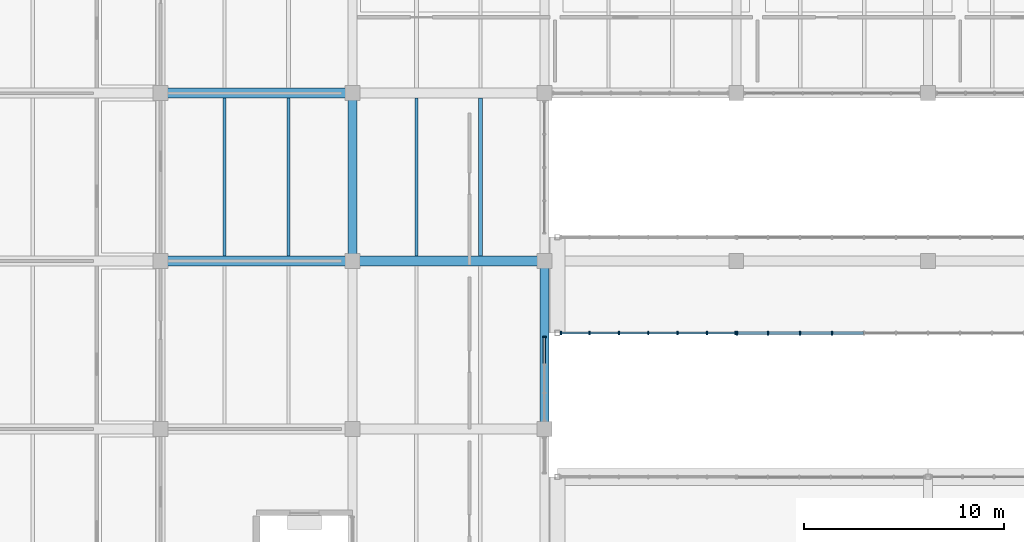
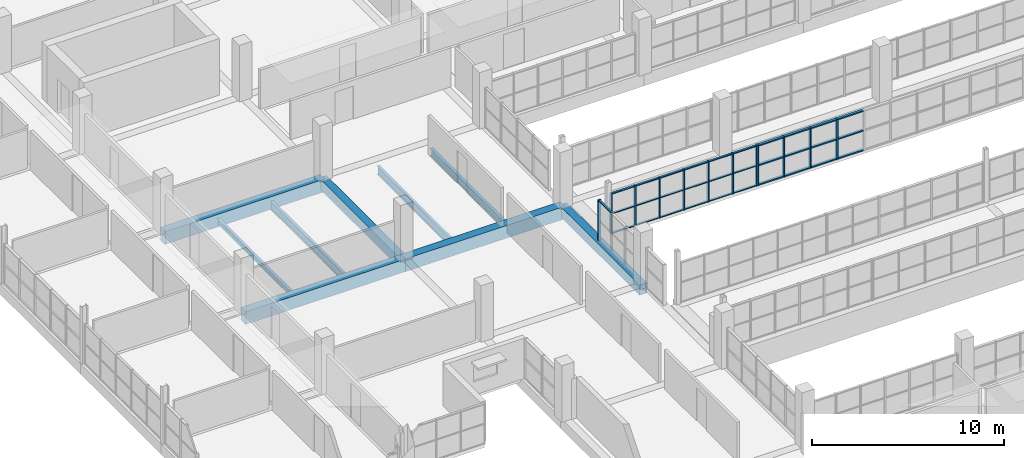
# One storey, part 59 of 147: 43 members, 9 beams, 3 elements without a shape of their own.
"""IFC4 building model written with IfcOpenShell, lengths in metres."""

from ifc_helpers import new_model, si_unit, direction, frame, origin, origin_2d, place, context, subcontext, project, spatial, rectangle, i_section, extrude, material, material_profile, profile_set, type_object, element, aggregate, save


model = new_model("IFC4")

# Units and contexts
model_context = context("Model", 3, precision=1e-05, world=origin(), true_north=direction((0.0, 1.0)))
body_context = subcontext(model_context, "Body", "Model", "MODEL_VIEW")
ifc_project = project(units=[si_unit("LENGTHUNIT", "METRE"), si_unit("AREAUNIT", "SQUARE_METRE"), si_unit("VOLUMEUNIT", "CUBIC_METRE"), si_unit("PLANEANGLEUNIT", "RADIAN"), si_unit("MASSUNIT", "GRAM", prefix="KILO")], contexts=[model_context])

# Site, building, storey
site_placement = place(None, origin())
site = spatial("IfcSite", under=ifc_project, at=site_placement, CompositionType="ELEMENT")
building_placement = place(site_placement, origin())
building = spatial("IfcBuilding", under=site, at=building_placement, Name="Oolite Switchyard Hospital", CompositionType="ELEMENT")
storey_placement = place(building_placement, frame((0.0, 0.0, 9.89990234375)))
storey = spatial("IfcBuildingStorey", under=building, at=storey_placement, Name="L02", CompositionType="ELEMENT", Elevation=9.89990234375)

# Beams
ifc_material_1 = material(Name="Concrete C40/50", Category="concrete")
ifc_material_profile_1 = material_profile(ifc_material_1, rectangle(XDim=0.449951171875, YDim=0.64990234375, at=origin_2d()), Name="RCB450X650")
ifc_profile_set_1 = profile_set([ifc_material_profile_1], Name="Concrete C40/50")
beam_type_1 = type_object("IfcBeamType", Name="BM-RC450X650", PredefinedType="BEAM", material=ifc_profile_set_1)
beam_1_placement = place(storey_placement, frame((134.39990234375, 50.39990234375, -0.324951171875), z_axis=(0.0, 1.0, 0.0), x_axis=(-1.0, 0.0, 0.0)))
element("IfcBeam", 1, at=beam_1_placement, inside=storey, type_object=beam_type_1, Name="L02 Y-Girder 1404", PredefinedType="BEAM", context=body_context, shape_type="SweptSolid", body=[
    extrude(rectangle(XDim=0.449951171875, YDim=0.64990234375, at=origin_2d()), origin(), (0.0, 0.0, 1.0), 8.400146484375),
])
beam_2_placement = place(storey_placement, frame((144.0, 42.0, -0.324951171875), z_axis=(0.0, 1.0, 0.0), x_axis=(-1.0, 0.0, 0.0)))
element("IfcBeam", 2, at=beam_2_placement, inside=storey, type_object=beam_type_1, Name="L02 Y-Girder 1418", PredefinedType="BEAM", context=body_context, shape_type="SweptSolid", body=[
    extrude(rectangle(XDim=0.449951171875, YDim=0.64990234375, at=origin_2d()), origin(), (0.0, 0.0, 1.0), 8.39990234375),
])
ifc_material_profile_2 = material_profile(ifc_material_1, rectangle(XDim=0.5, YDim=0.800048828125, at=origin_2d()), Name="RCB500X800")
ifc_profile_set_2 = profile_set([ifc_material_profile_2], Name="Concrete C40/50")
beam_type_2 = type_object("IfcBeamType", Name="BM-RC500X800", PredefinedType="BEAM", material=ifc_profile_set_2)
beam_3_placement = place(storey_placement, frame((124.800048828125, 50.39990234375, -0.39990234375), z_axis=(1.0, 0.0, 0.0), x_axis=(0.0, 1.0, 0.0)))
element("IfcBeam", 3, at=beam_3_placement, inside=storey, type_object=beam_type_2, Name="L02 X-Girder 1069", PredefinedType="BEAM", context=body_context, shape_type="SweptSolid", body=[
    extrude(rectangle(XDim=0.5, YDim=0.800048828125, at=origin_2d()), origin(), (0.0, 0.0, 1.0), 9.599853515625),
])
beam_4_placement = place(storey_placement, frame((134.39990234375, 50.39990234375, -0.39990234375), z_axis=(1.0, 0.0, 0.0), x_axis=(0.0, 1.0, 0.0)))
element("IfcBeam", 4, at=beam_4_placement, inside=storey, type_object=beam_type_2, Name="L02 X-Girder 1070", PredefinedType="BEAM", context=body_context, shape_type="SweptSolid", body=[
    extrude(rectangle(XDim=0.5, YDim=0.800048828125, at=origin_2d()), origin(), (0.0, 0.0, 1.0), 9.60009765625),
])
beam_5_placement = place(storey_placement, frame((124.800048828125, 58.800048828125, -0.39990234375), z_axis=(1.0, 0.0, 0.0), x_axis=(0.0, 1.0, 0.0)))
element("IfcBeam", 5, at=beam_5_placement, inside=storey, type_object=beam_type_2, Name="L02 X-Girder 1085", PredefinedType="BEAM", context=body_context, shape_type="SweptSolid", body=[
    extrude(rectangle(XDim=0.5, YDim=0.800048828125, at=origin_2d()), origin(), (0.0, 0.0, 1.0), 9.599853515625),
])
ifc_material_2 = material(Name="Steel ASTM A992 Grade 50", Category="steel")
ifc_material_profile_3 = material_profile(ifc_material_2, i_section(OverallWidth=0.1650390625, OverallDepth=0.31005859375, WebThickness=0.006103515625, FlangeThickness=0.010009765625, at=origin_2d()), Name="W12X26")
ifc_profile_set_3 = profile_set([ifc_material_profile_3], Name="Steel ASTM A992 Grade 50")
beam_type_3 = type_object("IfcBeamType", Name="BM-W12X26", PredefinedType="JOIST", material=ifc_profile_set_3)
beam_6_placement = place(storey_placement, frame((128.0, 50.64990234375, -0.414794921875), z_axis=(0.0, 1.0, 0.0), x_axis=(-1.0, 0.0, 0.0)))
element("IfcBeam", 6, at=beam_6_placement, inside=storey, type_object=beam_type_3, Name="L02 Secondary Steel Joist 1752", PredefinedType="JOIST", context=body_context, shape_type="SweptSolid", body=[
    extrude(i_section(OverallWidth=0.1650390625, OverallDepth=0.31005859375, WebThickness=0.006103515625, FlangeThickness=0.010009765625, at=origin_2d()), origin(), (0.0, 0.0, 1.0), 7.900146484375),
])
ifc_material_profile_4 = material_profile(ifc_material_2, i_section(OverallWidth=0.19091796875, OverallDepth=0.4599609375, WebThickness=0.010009765625, FlangeThickness=0.01611328125, at=origin_2d()), Name="W18X55")
ifc_profile_set_4 = profile_set([ifc_material_profile_4], Name="Steel ASTM A992 Grade 50")
beam_type_4 = type_object("IfcBeamType", Name="BM-W18X55", PredefinedType="JOIST", material=ifc_profile_set_4)
beam_7_placement = place(storey_placement, frame((140.800048828125, 50.64990234375, -0.489990234375), z_axis=(0.0, 1.0, 0.0), x_axis=(-1.0, 0.0, 0.0)))
element("IfcBeam", 7, at=beam_7_placement, inside=storey, type_object=beam_type_4, Name="L02 Secondary Steel Joist 1773", PredefinedType="JOIST", context=body_context, shape_type="SweptSolid", body=[
    extrude(i_section(OverallWidth=0.19091796875, OverallDepth=0.4599609375, WebThickness=0.010009765625, FlangeThickness=0.01611328125, at=origin_2d()), origin(), (0.0, 0.0, 1.0), 7.900146484375),
])
ifc_material_profile_5 = material_profile(ifc_material_2, i_section(OverallWidth=0.166015625, OverallDepth=0.529052734375, WebThickness=0.010009765625, FlangeThickness=0.013916015625, at=origin_2d()), Name="W21X50")
ifc_profile_set_5 = profile_set([ifc_material_profile_5], Name="Steel ASTM A992 Grade 50")
beam_type_5 = type_object("IfcBeamType", Name="BM-W21X50", PredefinedType="JOIST", material=ifc_profile_set_5)
for number, where, z_axis, x_axis, name in (
    (8, (131.199951171875, 50.64990234375, -0.52392578125), (0.0, 1.0, 0.0), (-1.0, 0.0, 0.0), "L02 Secondary Steel Joist 1753"),
    (9, (137.60009765625, 50.64990234375, -0.52392578125), (0.0, 1.0, 0.0), (-1.0, 0.0, 0.0), "L02 Secondary Steel Joist 1772"),
):
    element("IfcBeam", number, at=place(storey_placement, frame(where, z_axis=z_axis, x_axis=x_axis)), inside=storey, type_object=beam_type_5, Name=name, PredefinedType="JOIST", context=body_context, shape_type="SweptSolid", body=[
        extrude(i_section(OverallWidth=0.166015625, OverallDepth=0.529052734375, WebThickness=0.010009765625, FlangeThickness=0.013916015625, at=origin_2d()), origin(), (0.0, 0.0, 1.0), 7.900146484375),
    ])

# Curtain wall, members
ifc_material_3 = material(Name="Thermally broken aluminum frame with laminated impact glazing", Category="aluminium")
curtain_wall_type = type_object("IfcCurtainWallType", Name="CW-BRG-96X38", PredefinedType="USERDEFINED", material=ifc_material_3)
curtain_wall_1_placement = place(storey_placement, origin())
curtain_wall_1 = element("IfcCurtainWall", 10, at=curtain_wall_1_placement, inside=storey, type_object=curtain_wall_type, Name="L02 Unitised Curtain Wall 236", ObjectType="UNITISED", PredefinedType="USERDEFINED")
ifc_material_4 = material(Name="Aluminium 6063-T6", Category="aluminium")
ifc_material_profile_6 = material_profile(ifc_material_4, rectangle(XDim=0.179931640625, YDim=0.070068359375, at=origin_2d()), Name="CWM70X180")
ifc_profile_set_6 = profile_set([ifc_material_profile_6], Name="Aluminium 6063-T6")
member_type_1 = type_object("IfcMemberType", Name="CW-MUL-220", PredefinedType="MULLION", material=ifc_profile_set_6)
member_1_placement = place(storey_placement, frame((153.56494140625, 46.800048828125, 0.0), z_axis=(0.0, 0.0, 1.0), x_axis=(0.0, -1.0, 0.0)))
member_1 = element("IfcMember", 11, at=member_1_placement, type_object=member_type_1, Name="CW-12 mullion 1", PredefinedType="MULLION", context=body_context, shape_type="SweptSolid", body=[
    extrude(rectangle(XDim=0.179931640625, YDim=0.070068359375, at=origin_2d()), origin(), (0.0, 0.0, 1.0), 2.570068359375),
])
member_2_placement = place(storey_placement, frame((152.132080078125, 46.800048828125, 0.0), z_axis=(0.0, 0.0, 1.0), x_axis=(0.0, -1.0, 0.0)))
member_2 = element("IfcMember", 12, at=member_2_placement, type_object=member_type_1, Name="CW-12 mullion 2", PredefinedType="MULLION", context=body_context, shape_type="SweptSolid", body=[
    extrude(rectangle(XDim=0.179931640625, YDim=0.070068359375, at=origin_2d()), origin(), (0.0, 0.0, 1.0), 2.570068359375),
])
member_3_placement = place(storey_placement, frame((150.6640625, 46.800048828125, 0.0), z_axis=(0.0, 0.0, 1.0), x_axis=(0.0, -1.0, 0.0)))
member_3 = element("IfcMember", 13, at=member_3_placement, type_object=member_type_1, Name="CW-12 mullion 3", PredefinedType="MULLION", context=body_context, shape_type="SweptSolid", body=[
    extrude(rectangle(XDim=0.179931640625, YDim=0.070068359375, at=origin_2d()), origin(), (0.0, 0.0, 1.0), 2.570068359375),
])
member_4_placement = place(storey_placement, frame((149.196044921875, 46.800048828125, 0.0), z_axis=(0.0, 0.0, 1.0), x_axis=(0.0, -1.0, 0.0)))
member_4 = element("IfcMember", 14, at=member_4_placement, type_object=member_type_1, Name="CW-12 mullion 4", PredefinedType="MULLION", context=body_context, shape_type="SweptSolid", body=[
    extrude(rectangle(XDim=0.179931640625, YDim=0.070068359375, at=origin_2d()), origin(), (0.0, 0.0, 1.0), 2.570068359375),
])
member_5_placement = place(storey_placement, frame((147.72802734375, 46.800048828125, 0.0), z_axis=(0.0, 0.0, 1.0), x_axis=(0.0, -1.0, 0.0)))
member_5 = element("IfcMember", 15, at=member_5_placement, type_object=member_type_1, Name="CW-12 mullion 5", PredefinedType="MULLION", context=body_context, shape_type="SweptSolid", body=[
    extrude(rectangle(XDim=0.179931640625, YDim=0.070068359375, at=origin_2d()), origin(), (0.0, 0.0, 1.0), 2.570068359375),
])
member_6_placement = place(storey_placement, frame((146.260009765625, 46.800048828125, 0.0), z_axis=(0.0, 0.0, 1.0), x_axis=(0.0, -1.0, 0.0)))
member_6 = element("IfcMember", 16, at=member_6_placement, type_object=member_type_1, Name="CW-12 mullion 6", PredefinedType="MULLION", context=body_context, shape_type="SweptSolid", body=[
    extrude(rectangle(XDim=0.179931640625, YDim=0.070068359375, at=origin_2d()), origin(), (0.0, 0.0, 1.0), 2.570068359375),
])
member_7_placement = place(storey_placement, frame((144.826904296875, 46.800048828125, 0.0), z_axis=(0.0, 0.0, 1.0), x_axis=(0.0, -1.0, 0.0)))
member_7 = element("IfcMember", 17, at=member_7_placement, type_object=member_type_1, Name="CW-12 mullion 7", PredefinedType="MULLION", context=body_context, shape_type="SweptSolid", body=[
    extrude(rectangle(XDim=0.179931640625, YDim=0.070068359375, at=origin_2d()), origin(), (0.0, 0.0, 1.0), 2.570068359375),
])

# Curtain wall, member
curtain_wall_2_placement = place(storey_placement, origin())
curtain_wall_2 = element("IfcCurtainWall", 18, at=curtain_wall_2_placement, inside=storey, type_object=curtain_wall_type, Name="L02 Unitised Curtain Wall 302", ObjectType="UNITISED", PredefinedType="USERDEFINED")
member_8_placement = place(storey_placement, frame((144.0, 46.60498046875, 0.0), z_axis=(0.0, 0.0, 1.0), x_axis=(1.0, 0.0, 0.0)))
member_8 = element("IfcMember", 19, at=member_8_placement, type_object=member_type_1, Name="CW-12 mullion 1", PredefinedType="MULLION", context=body_context, shape_type="SweptSolid", body=[
    extrude(rectangle(XDim=0.179931640625, YDim=0.070068359375, at=origin_2d()), origin(), (0.0, 0.0, 1.0), 2.570068359375),
])

# Curtain wall, members
curtain_wall_3_placement = place(storey_placement, origin())
curtain_wall_3 = element("IfcCurtainWall", 20, at=curtain_wall_3_placement, inside=storey, type_object=curtain_wall_type, Name="L02 Unitised Curtain Wall 237", ObjectType="UNITISED", PredefinedType="USERDEFINED")
ifc_material_profile_7 = material_profile(ifc_material_4, rectangle(XDim=0.199951171875, YDim=0.074951171875, at=origin_2d()), Name="CWM75X200")
ifc_profile_set_7 = profile_set([ifc_material_profile_7], Name="Aluminium 6063-T6")
member_type_2 = type_object("IfcMemberType", Name="CW-MUL-260", PredefinedType="MULLION", material=ifc_profile_set_7)
member_9_placement = place(storey_placement, frame((158.39990234375, 46.800048828125, 0.0), z_axis=(0.0, 0.0, 1.0), x_axis=(0.0, -1.0, 0.0)))
member_9 = element("IfcMember", 21, at=member_9_placement, type_object=member_type_2, Name="CW-12 mullion 10", PredefinedType="MULLION", context=body_context, shape_type="SweptSolid", body=[
    extrude(rectangle(XDim=0.199951171875, YDim=0.074951171875, at=origin_2d()), origin(), (0.0, 0.0, 1.0), 2.570068359375),
])
member_10_placement = place(storey_placement, frame((156.800048828125, 46.800048828125, 0.0), z_axis=(0.0, 0.0, 1.0), x_axis=(0.0, -1.0, 0.0)))
member_10 = element("IfcMember", 22, at=member_10_placement, type_object=member_type_2, Name="CW-12 mullion 11", PredefinedType="MULLION", context=body_context, shape_type="SweptSolid", body=[
    extrude(rectangle(XDim=0.199951171875, YDim=0.074951171875, at=origin_2d()), origin(), (0.0, 0.0, 1.0), 2.570068359375),
])
member_11_placement = place(storey_placement, frame((155.199951171875, 46.800048828125, 0.0), z_axis=(0.0, 0.0, 1.0), x_axis=(0.0, -1.0, 0.0)))
member_11 = element("IfcMember", 23, at=member_11_placement, type_object=member_type_2, Name="CW-12 mullion 12", PredefinedType="MULLION", context=body_context, shape_type="SweptSolid", body=[
    extrude(rectangle(XDim=0.199951171875, YDim=0.074951171875, at=origin_2d()), origin(), (0.0, 0.0, 1.0), 2.570068359375),
])
member_12_placement = place(storey_placement, frame((153.637451171875, 46.800048828125, 0.0), z_axis=(0.0, 0.0, 1.0), x_axis=(0.0, -1.0, 0.0)))
member_12 = element("IfcMember", 24, at=member_12_placement, type_object=member_type_2, Name="CW-12 mullion 13", PredefinedType="MULLION", context=body_context, shape_type="SweptSolid", body=[
    extrude(rectangle(XDim=0.199951171875, YDim=0.074951171875, at=origin_2d()), origin(), (0.0, 0.0, 1.0), 2.570068359375),
])

# Member
ifc_material_profile_8 = material_profile(ifc_material_4, rectangle(XDim=0.1201171875, YDim=0.06005859375, at=origin_2d()), Name="CWT60X120")
ifc_profile_set_8 = profile_set([ifc_material_profile_8], Name="Aluminium 6063-T6")
member_type_3 = type_object("IfcMemberType", Name="CW-TRN-150", PredefinedType="USERDEFINED", material=ifc_profile_set_8)
member_13_placement = place(storey_placement, frame((153.530029296875, 46.800048828125, 0.030029296875), z_axis=(-1.0, 0.0, 0.0), x_axis=(0.0, -1.0, 0.0)))
member_13 = element("IfcMember", 25, at=member_13_placement, type_object=member_type_3, Name="CW-12 transom 1.1", ObjectType="TRANSOM", PredefinedType="USERDEFINED", context=body_context, shape_type="SweptSolid", body=[
    extrude(rectangle(XDim=0.1201171875, YDim=0.06005859375, at=origin_2d()), origin(), (0.0, 0.0, 1.0), 1.363037109375),
])

member_14_placement = place(storey_placement, frame((153.530029296875, 46.800048828125, 1.28515625), z_axis=(-1.0, 0.0, 0.0), x_axis=(0.0, -1.0, 0.0)))
member_14 = element("IfcMember", 26, at=member_14_placement, type_object=member_type_3, Name="CW-12 transom 1.2", ObjectType="TRANSOM", PredefinedType="USERDEFINED", context=body_context, shape_type="SweptSolid", body=[
    extrude(rectangle(XDim=0.1201171875, YDim=0.06005859375, at=origin_2d()), origin(), (0.0, 0.0, 1.0), 1.363037109375),
])

member_15_placement = place(storey_placement, frame((153.530029296875, 46.800048828125, 2.5400390625), z_axis=(-1.0, 0.0, 0.0), x_axis=(0.0, -1.0, 0.0)))
member_15 = element("IfcMember", 27, at=member_15_placement, type_object=member_type_3, Name="CW-12 transom 1.3", ObjectType="TRANSOM", PredefinedType="USERDEFINED", context=body_context, shape_type="SweptSolid", body=[
    extrude(rectangle(XDim=0.1201171875, YDim=0.06005859375, at=origin_2d()), origin(), (0.0, 0.0, 1.0), 1.363037109375),
])

member_16_placement = place(storey_placement, frame((152.096923828125, 46.800048828125, 0.030029296875), z_axis=(-1.0, 0.0, 0.0), x_axis=(0.0, -1.0, 0.0)))
member_16 = element("IfcMember", 28, at=member_16_placement, type_object=member_type_3, Name="CW-12 transom 2.1", ObjectType="TRANSOM", PredefinedType="USERDEFINED", context=body_context, shape_type="SweptSolid", body=[
    extrude(rectangle(XDim=0.1201171875, YDim=0.06005859375, at=origin_2d()), origin(), (0.0, 0.0, 1.0), 1.39794921875),
])

member_17_placement = place(storey_placement, frame((152.096923828125, 46.800048828125, 1.28515625), z_axis=(-1.0, 0.0, 0.0), x_axis=(0.0, -1.0, 0.0)))
member_17 = element("IfcMember", 29, at=member_17_placement, type_object=member_type_3, Name="CW-12 transom 2.2", ObjectType="TRANSOM", PredefinedType="USERDEFINED", context=body_context, shape_type="SweptSolid", body=[
    extrude(rectangle(XDim=0.1201171875, YDim=0.06005859375, at=origin_2d()), origin(), (0.0, 0.0, 1.0), 1.39794921875),
])

member_18_placement = place(storey_placement, frame((152.096923828125, 46.800048828125, 2.5400390625), z_axis=(-1.0, 0.0, 0.0), x_axis=(0.0, -1.0, 0.0)))
member_18 = element("IfcMember", 30, at=member_18_placement, type_object=member_type_3, Name="CW-12 transom 2.3", ObjectType="TRANSOM", PredefinedType="USERDEFINED", context=body_context, shape_type="SweptSolid", body=[
    extrude(rectangle(XDim=0.1201171875, YDim=0.06005859375, at=origin_2d()), origin(), (0.0, 0.0, 1.0), 1.39794921875),
])

member_19_placement = place(storey_placement, frame((150.62890625, 46.800048828125, 0.030029296875), z_axis=(-1.0, 0.0, 0.0), x_axis=(0.0, -1.0, 0.0)))
member_19 = element("IfcMember", 31, at=member_19_placement, type_object=member_type_3, Name="CW-12 transom 3.1", ObjectType="TRANSOM", PredefinedType="USERDEFINED", context=body_context, shape_type="SweptSolid", body=[
    extrude(rectangle(XDim=0.1201171875, YDim=0.06005859375, at=origin_2d()), origin(), (0.0, 0.0, 1.0), 1.39794921875),
])

member_20_placement = place(storey_placement, frame((150.62890625, 46.800048828125, 1.28515625), z_axis=(-1.0, 0.0, 0.0), x_axis=(0.0, -1.0, 0.0)))
member_20 = element("IfcMember", 32, at=member_20_placement, type_object=member_type_3, Name="CW-12 transom 3.2", ObjectType="TRANSOM", PredefinedType="USERDEFINED", context=body_context, shape_type="SweptSolid", body=[
    extrude(rectangle(XDim=0.1201171875, YDim=0.06005859375, at=origin_2d()), origin(), (0.0, 0.0, 1.0), 1.39794921875),
])

member_21_placement = place(storey_placement, frame((150.62890625, 46.800048828125, 2.5400390625), z_axis=(-1.0, 0.0, 0.0), x_axis=(0.0, -1.0, 0.0)))
member_21 = element("IfcMember", 33, at=member_21_placement, type_object=member_type_3, Name="CW-12 transom 3.3", ObjectType="TRANSOM", PredefinedType="USERDEFINED", context=body_context, shape_type="SweptSolid", body=[
    extrude(rectangle(XDim=0.1201171875, YDim=0.06005859375, at=origin_2d()), origin(), (0.0, 0.0, 1.0), 1.39794921875),
])

member_22_placement = place(storey_placement, frame((149.160888671875, 46.800048828125, 0.030029296875), z_axis=(-1.0, 0.0, 0.0), x_axis=(0.0, -1.0, 0.0)))
member_22 = element("IfcMember", 34, at=member_22_placement, type_object=member_type_3, Name="CW-12 transom 4.1", ObjectType="TRANSOM", PredefinedType="USERDEFINED", context=body_context, shape_type="SweptSolid", body=[
    extrude(rectangle(XDim=0.1201171875, YDim=0.06005859375, at=origin_2d()), origin(), (0.0, 0.0, 1.0), 1.39794921875),
])

member_23_placement = place(storey_placement, frame((149.160888671875, 46.800048828125, 1.28515625), z_axis=(-1.0, 0.0, 0.0), x_axis=(0.0, -1.0, 0.0)))
member_23 = element("IfcMember", 35, at=member_23_placement, type_object=member_type_3, Name="CW-12 transom 4.2", ObjectType="TRANSOM", PredefinedType="USERDEFINED", context=body_context, shape_type="SweptSolid", body=[
    extrude(rectangle(XDim=0.1201171875, YDim=0.06005859375, at=origin_2d()), origin(), (0.0, 0.0, 1.0), 1.39794921875),
])

member_24_placement = place(storey_placement, frame((149.160888671875, 46.800048828125, 2.5400390625), z_axis=(-1.0, 0.0, 0.0), x_axis=(0.0, -1.0, 0.0)))
member_24 = element("IfcMember", 36, at=member_24_placement, type_object=member_type_3, Name="CW-12 transom 4.3", ObjectType="TRANSOM", PredefinedType="USERDEFINED", context=body_context, shape_type="SweptSolid", body=[
    extrude(rectangle(XDim=0.1201171875, YDim=0.06005859375, at=origin_2d()), origin(), (0.0, 0.0, 1.0), 1.39794921875),
])

member_25_placement = place(storey_placement, frame((147.693115234375, 46.800048828125, 0.030029296875), z_axis=(-1.0, 0.0, 0.0), x_axis=(0.0, -1.0, 0.0)))
member_25 = element("IfcMember", 37, at=member_25_placement, type_object=member_type_3, Name="CW-12 transom 5.1", ObjectType="TRANSOM", PredefinedType="USERDEFINED", context=body_context, shape_type="SweptSolid", body=[
    extrude(rectangle(XDim=0.1201171875, YDim=0.06005859375, at=origin_2d()), origin(), (0.0, 0.0, 1.0), 1.398193359375),
])

member_26_placement = place(storey_placement, frame((147.693115234375, 46.800048828125, 1.28515625), z_axis=(-1.0, 0.0, 0.0), x_axis=(0.0, -1.0, 0.0)))
member_26 = element("IfcMember", 38, at=member_26_placement, type_object=member_type_3, Name="CW-12 transom 5.2", ObjectType="TRANSOM", PredefinedType="USERDEFINED", context=body_context, shape_type="SweptSolid", body=[
    extrude(rectangle(XDim=0.1201171875, YDim=0.06005859375, at=origin_2d()), origin(), (0.0, 0.0, 1.0), 1.398193359375),
])

member_27_placement = place(storey_placement, frame((147.693115234375, 46.800048828125, 2.5400390625), z_axis=(-1.0, 0.0, 0.0), x_axis=(0.0, -1.0, 0.0)))
member_27 = element("IfcMember", 39, at=member_27_placement, type_object=member_type_3, Name="CW-12 transom 5.3", ObjectType="TRANSOM", PredefinedType="USERDEFINED", context=body_context, shape_type="SweptSolid", body=[
    extrude(rectangle(XDim=0.1201171875, YDim=0.06005859375, at=origin_2d()), origin(), (0.0, 0.0, 1.0), 1.398193359375),
])

member_28_placement = place(storey_placement, frame((146.22509765625, 46.800048828125, 0.030029296875), z_axis=(-1.0, 0.0, 0.0), x_axis=(0.0, -1.0, 0.0)))
member_28 = element("IfcMember", 40, at=member_28_placement, type_object=member_type_3, Name="CW-12 transom 6.1", ObjectType="TRANSOM", PredefinedType="USERDEFINED", context=body_context, shape_type="SweptSolid", body=[
    extrude(rectangle(XDim=0.1201171875, YDim=0.06005859375, at=origin_2d()), origin(), (0.0, 0.0, 1.0), 1.363037109375),
])

member_29_placement = place(storey_placement, frame((146.22509765625, 46.800048828125, 1.28515625), z_axis=(-1.0, 0.0, 0.0), x_axis=(0.0, -1.0, 0.0)))
member_29 = element("IfcMember", 41, at=member_29_placement, type_object=member_type_3, Name="CW-12 transom 6.2", ObjectType="TRANSOM", PredefinedType="USERDEFINED", context=body_context, shape_type="SweptSolid", body=[
    extrude(rectangle(XDim=0.1201171875, YDim=0.06005859375, at=origin_2d()), origin(), (0.0, 0.0, 1.0), 1.363037109375),
])

member_30_placement = place(storey_placement, frame((146.22509765625, 46.800048828125, 2.5400390625), z_axis=(-1.0, 0.0, 0.0), x_axis=(0.0, -1.0, 0.0)))
member_30 = element("IfcMember", 42, at=member_30_placement, type_object=member_type_3, Name="CW-12 transom 6.3", ObjectType="TRANSOM", PredefinedType="USERDEFINED", context=body_context, shape_type="SweptSolid", body=[
    extrude(rectangle(XDim=0.1201171875, YDim=0.06005859375, at=origin_2d()), origin(), (0.0, 0.0, 1.0), 1.363037109375),
])

aggregate(curtain_wall_1, [member_1, member_2, member_3, member_4, member_5, member_6, member_7, member_13, member_14, member_15, member_16, member_17, member_18, member_19, member_20, member_21, member_22, member_23, member_24, member_25, member_26, member_27, member_28, member_29, member_30])

member_31_placement = place(storey_placement, frame((144.0, 46.570068359375, 2.5400390625), z_axis=(0.0, -1.0, 0.0), x_axis=(1.0, 0.0, 0.0)))
member_31 = element("IfcMember", 43, at=member_31_placement, type_object=member_type_3, Name="CW-12 transom 1.3", ObjectType="TRANSOM", PredefinedType="USERDEFINED", context=body_context, shape_type="SweptSolid", body=[
    extrude(rectangle(XDim=0.1201171875, YDim=0.06005859375, at=origin_2d()), origin(), (0.0, 0.0, 1.0), 1.311767578125),
])

aggregate(curtain_wall_2, [member_8, member_31])

ifc_material_profile_9 = material_profile(ifc_material_4, rectangle(XDim=0.159912109375, YDim=0.074951171875, at=origin_2d()), Name="CWT75X160")
ifc_profile_set_9 = profile_set([ifc_material_profile_9], Name="Aluminium 6063-T6")
member_type_4 = type_object("IfcMemberType", Name="CW-TRN-180", PredefinedType="USERDEFINED", material=ifc_profile_set_9)
member_32_placement = place(storey_placement, frame((159.96240234375, 46.800048828125, 0.03759765625), z_axis=(-1.0, 0.0, 0.0), x_axis=(0.0, -1.0, 0.0)))
member_32 = element("IfcMember", 44, at=member_32_placement, type_object=member_type_4, Name="CW-12 transom 9.1", ObjectType="TRANSOM", PredefinedType="USERDEFINED", context=body_context, shape_type="SweptSolid", body=[
    extrude(rectangle(XDim=0.159912109375, YDim=0.074951171875, at=origin_2d()), origin(), (0.0, 0.0, 1.0), 1.52490234375),
])

member_33_placement = place(storey_placement, frame((159.96240234375, 46.800048828125, 1.28515625), z_axis=(-1.0, 0.0, 0.0), x_axis=(0.0, -1.0, 0.0)))
member_33 = element("IfcMember", 45, at=member_33_placement, type_object=member_type_4, Name="CW-12 transom 9.2", ObjectType="TRANSOM", PredefinedType="USERDEFINED", context=body_context, shape_type="SweptSolid", body=[
    extrude(rectangle(XDim=0.159912109375, YDim=0.074951171875, at=origin_2d()), origin(), (0.0, 0.0, 1.0), 1.52490234375),
])

member_34_placement = place(storey_placement, frame((159.96240234375, 46.800048828125, 2.53271484375), z_axis=(-1.0, 0.0, 0.0), x_axis=(0.0, -1.0, 0.0)))
member_34 = element("IfcMember", 46, at=member_34_placement, type_object=member_type_4, Name="CW-12 transom 9.3", ObjectType="TRANSOM", PredefinedType="USERDEFINED", context=body_context, shape_type="SweptSolid", body=[
    extrude(rectangle(XDim=0.159912109375, YDim=0.074951171875, at=origin_2d()), origin(), (0.0, 0.0, 1.0), 1.52490234375),
])

member_35_placement = place(storey_placement, frame((158.362548828125, 46.800048828125, 0.03759765625), z_axis=(-1.0, 0.0, 0.0), x_axis=(0.0, -1.0, 0.0)))
member_35 = element("IfcMember", 47, at=member_35_placement, type_object=member_type_4, Name="CW-12 transom 10.1", ObjectType="TRANSOM", PredefinedType="USERDEFINED", context=body_context, shape_type="SweptSolid", body=[
    extrude(rectangle(XDim=0.159912109375, YDim=0.074951171875, at=origin_2d()), origin(), (0.0, 0.0, 1.0), 1.525146484375),
])

member_36_placement = place(storey_placement, frame((158.362548828125, 46.800048828125, 1.28515625), z_axis=(-1.0, 0.0, 0.0), x_axis=(0.0, -1.0, 0.0)))
member_36 = element("IfcMember", 48, at=member_36_placement, type_object=member_type_4, Name="CW-12 transom 10.2", ObjectType="TRANSOM", PredefinedType="USERDEFINED", context=body_context, shape_type="SweptSolid", body=[
    extrude(rectangle(XDim=0.159912109375, YDim=0.074951171875, at=origin_2d()), origin(), (0.0, 0.0, 1.0), 1.525146484375),
])

member_37_placement = place(storey_placement, frame((158.362548828125, 46.800048828125, 2.53271484375), z_axis=(-1.0, 0.0, 0.0), x_axis=(0.0, -1.0, 0.0)))
member_37 = element("IfcMember", 49, at=member_37_placement, type_object=member_type_4, Name="CW-12 transom 10.3", ObjectType="TRANSOM", PredefinedType="USERDEFINED", context=body_context, shape_type="SweptSolid", body=[
    extrude(rectangle(XDim=0.159912109375, YDim=0.074951171875, at=origin_2d()), origin(), (0.0, 0.0, 1.0), 1.525146484375),
])

member_38_placement = place(storey_placement, frame((156.762451171875, 46.800048828125, 0.03759765625), z_axis=(-1.0, 0.0, 0.0), x_axis=(0.0, -1.0, 0.0)))
member_38 = element("IfcMember", 50, at=member_38_placement, type_object=member_type_4, Name="CW-12 transom 11.1", ObjectType="TRANSOM", PredefinedType="USERDEFINED", context=body_context, shape_type="SweptSolid", body=[
    extrude(rectangle(XDim=0.159912109375, YDim=0.074951171875, at=origin_2d()), origin(), (0.0, 0.0, 1.0), 1.52490234375),
])

member_39_placement = place(storey_placement, frame((156.762451171875, 46.800048828125, 1.28515625), z_axis=(-1.0, 0.0, 0.0), x_axis=(0.0, -1.0, 0.0)))
member_39 = element("IfcMember", 51, at=member_39_placement, type_object=member_type_4, Name="CW-12 transom 11.2", ObjectType="TRANSOM", PredefinedType="USERDEFINED", context=body_context, shape_type="SweptSolid", body=[
    extrude(rectangle(XDim=0.159912109375, YDim=0.074951171875, at=origin_2d()), origin(), (0.0, 0.0, 1.0), 1.52490234375),
])

member_40_placement = place(storey_placement, frame((156.762451171875, 46.800048828125, 2.53271484375), z_axis=(-1.0, 0.0, 0.0), x_axis=(0.0, -1.0, 0.0)))
member_40 = element("IfcMember", 52, at=member_40_placement, type_object=member_type_4, Name="CW-12 transom 11.3", ObjectType="TRANSOM", PredefinedType="USERDEFINED", context=body_context, shape_type="SweptSolid", body=[
    extrude(rectangle(XDim=0.159912109375, YDim=0.074951171875, at=origin_2d()), origin(), (0.0, 0.0, 1.0), 1.52490234375),
])

member_41_placement = place(storey_placement, frame((155.16259765625, 46.800048828125, 0.03759765625), z_axis=(-1.0, 0.0, 0.0), x_axis=(0.0, -1.0, 0.0)))
member_41 = element("IfcMember", 53, at=member_41_placement, type_object=member_type_4, Name="CW-12 transom 12.1", ObjectType="TRANSOM", PredefinedType="USERDEFINED", context=body_context, shape_type="SweptSolid", body=[
    extrude(rectangle(XDim=0.159912109375, YDim=0.074951171875, at=origin_2d()), origin(), (0.0, 0.0, 1.0), 1.487548828125),
])

member_42_placement = place(storey_placement, frame((155.16259765625, 46.800048828125, 1.28515625), z_axis=(-1.0, 0.0, 0.0), x_axis=(0.0, -1.0, 0.0)))
member_42 = element("IfcMember", 54, at=member_42_placement, type_object=member_type_4, Name="CW-12 transom 12.2", ObjectType="TRANSOM", PredefinedType="USERDEFINED", context=body_context, shape_type="SweptSolid", body=[
    extrude(rectangle(XDim=0.159912109375, YDim=0.074951171875, at=origin_2d()), origin(), (0.0, 0.0, 1.0), 1.487548828125),
])

member_43_placement = place(storey_placement, frame((155.16259765625, 46.800048828125, 2.53271484375), z_axis=(-1.0, 0.0, 0.0), x_axis=(0.0, -1.0, 0.0)))
member_43 = element("IfcMember", 55, at=member_43_placement, type_object=member_type_4, Name="CW-12 transom 12.3", ObjectType="TRANSOM", PredefinedType="USERDEFINED", context=body_context, shape_type="SweptSolid", body=[
    extrude(rectangle(XDim=0.159912109375, YDim=0.074951171875, at=origin_2d()), origin(), (0.0, 0.0, 1.0), 1.487548828125),
])

aggregate(curtain_wall_3, [member_9, member_10, member_11, member_12, member_32, member_33, member_34, member_35, member_36, member_37, member_38, member_39, member_40, member_41, member_42, member_43])

save(model, "model.ifc")
